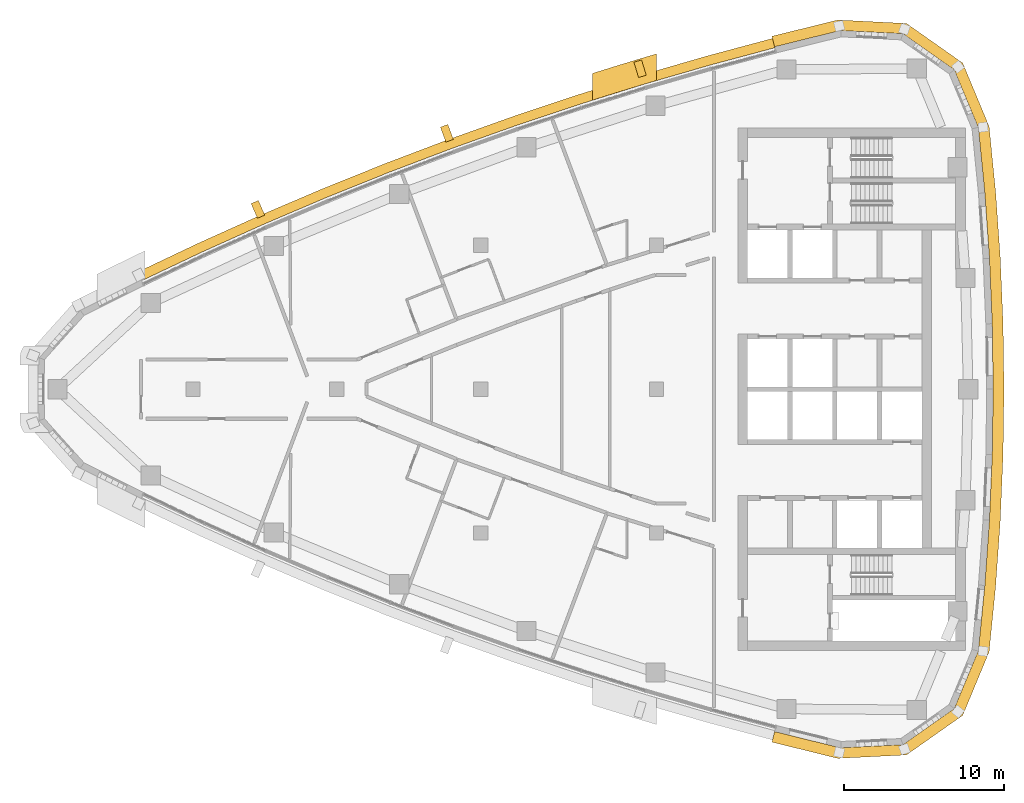
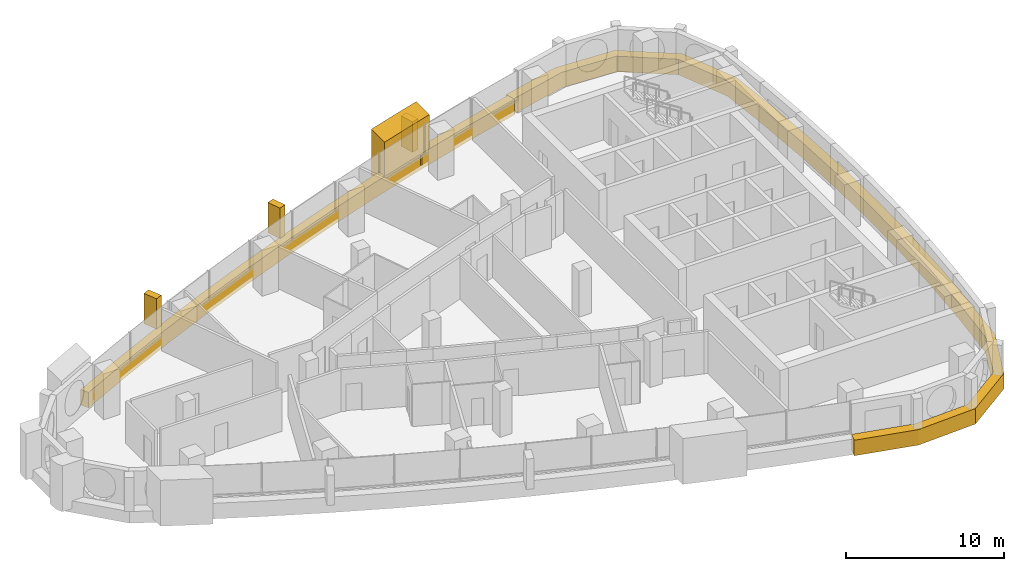
# One storey, part 15 of 16: 6 coverings.
"""IFC4 building model written with IfcOpenShell, lengths in metres."""

from ifc_helpers import new_model, si_unit, direction, frame, frame_2d, origin, place, context, subcontext, project, spatial, polyline, rectangle, outline, extrude, material, layer, layer_set, type_object, element, save


model = new_model("IFC4")

# Units and contexts
model_context = context("Model", 3, precision=1e-05, world=origin(), true_north=direction((0.0, 1.0)))
body_context = subcontext(model_context, "Body", "Model", "MODEL_VIEW")
ifc_project = project(units=[si_unit("LENGTHUNIT", "METRE"), si_unit("AREAUNIT", "SQUARE_METRE"), si_unit("VOLUMEUNIT", "CUBIC_METRE"), si_unit("PLANEANGLEUNIT", "RADIAN"), si_unit("MASSUNIT", "GRAM", prefix="KILO")], contexts=[model_context])

# Site, building, storey
site_placement = place(None, origin())
site = spatial("IfcSite", under=ifc_project, at=site_placement, CompositionType="ELEMENT")
building_placement = place(site_placement, origin())
building = spatial("IfcBuilding", under=site, at=building_placement, Name="Ostrand Prow Hotel Tower", CompositionType="ELEMENT")
storey_placement = place(building_placement, frame((0.0, 0.0, 227.89990234375)))
storey = spatial("IfcBuildingStorey", under=building, at=storey_placement, Name="L57", CompositionType="ELEMENT", Elevation=227.89990234375)

# Coverings
ifc_material_1 = material(Name="Bronze anodised aluminium cladding", Category="aluminium")
ifc_layer_1 = layer(ifc_material_1, 0.60009765625)
ifc_layer_set_1 = layer_set([ifc_layer_1], Name="Bronze anodised aluminium cladding")
covering_type_1 = type_object("IfcCoveringType", Name="Bronze spandrel band 1200x600", PredefinedType="CLADDING", material=ifc_layer_set_1)
covering_1_placement = place(storey_placement, frame((0.0, 0.0, -0.2998046875)))
element("IfcCovering", 1, at=covering_1_placement, inside=storey, type_object=covering_type_1, Name="Spandrel band N1", PredefinedType="CLADDING", context=body_context, shape_type="SweptSolid", body=[
    extrude(outline(polyline([(52.256591796875, 21.944580078125), (48.16064453125, 20.846435546875), (44.087890625, 19.665771484375), (40.039306640625, 18.403564453125), (36.017333984375, 17.059814453125), (32.02294921875, 15.635498046875), (28.058349609375, 14.131103515625), (24.12451171875, 12.547119140625), (20.2236328125, 10.88427734375), (16.35693359375, 9.14306640625), (12.526123046875, 7.324462890625), (12.788818359375, 6.784912109375), (16.60888671875, 8.598388671875), (20.464599609375, 10.334716796875), (24.354248046875, 11.992919921875), (28.27685546875, 13.572265625), (32.230224609375, 15.072509765625), (36.213134765625, 16.49267578125), (40.223876953125, 17.83251953125), (44.260498046875, 19.09130859375), (48.322021484375, 20.268310546875), (52.40625, 21.363525390625), (52.256591796875, 21.944580078125)])), origin(), (0.0, 0.0, 1.0), 1.199951171875),
])
covering_2_placement = place(storey_placement, frame((0.0, 0.0, -0.2998046875)))
element("IfcCovering", 2, at=covering_2_placement, inside=storey, type_object=covering_type_1, Name="Spandrel band back 1", PredefinedType="CLADDING", context=body_context, shape_type="SweptSolid", body=[
    extrude(outline(polyline([(52.22119140625, -22.081787109375), (56.34130859375, -23.09814453125), (60.638671875, -22.8837890625), (64.15771484375, -20.408447265625), (65.81201171875, -16.4365234375), (66.218505859375, -12.3388671875), (66.509033203125, -8.2314453125), (66.68359375, -4.117431640625), (66.74169921875, 0.0), (66.68359375, 4.117431640625), (66.509033203125, 8.2314453125), (66.218505859375, 12.3388671875), (65.81201171875, 16.4365234375), (64.15771484375, 20.408447265625), (60.638671875, 22.8837890625), (56.34130859375, 23.09814453125), (52.22119140625, 22.081787109375), (52.390869140625, 21.42333984375), (56.49755859375, 22.436279296875), (60.417236328125, 22.240966796875), (63.62744140625, 19.98291015625), (65.13623046875, 16.35986328125), (65.541015625, 12.281494140625), (65.830078125, 8.193115234375), (66.00390625, 4.09814453125), (66.061767578125, 0.0), (66.00390625, -4.09814453125), (65.830078125, -8.193115234375), (65.541015625, -12.281494140625), (65.13623046875, -16.35986328125), (63.62744140625, -19.98291015625), (60.417236328125, -22.240966796875), (56.49755859375, -22.436279296875), (52.390869140625, -21.42333984375), (52.22119140625, -22.081787109375)])), origin(), (0.0, 0.0, 1.0), 1.199951171875),
])
ifc_material_2 = material(Name="Limestone cladding", Category="masonry")
ifc_layer_2 = layer(ifc_material_2, 5.0)
ifc_layer_set_2 = layer_set([ifc_layer_2], Name="Limestone cladding")
covering_type_2 = type_object("IfcCoveringType", Name="Portal jamb pilaster limestone", PredefinedType="CLADDING", material=ifc_layer_set_2)
covering_3_placement = place(storey_placement, origin())
element("IfcCovering", 3, at=covering_3_placement, inside=storey, type_object=covering_type_2, Name="Portal jamb NB L57", PredefinedType="CLADDING", context=body_context, shape_type="SweptSolid", body=[
    extrude(outline(polyline([(41.0, 18.08154296875), (42.0, 18.3974609375), (43.0, 18.707763671875), (44.0, 19.0126953125), (45.0, 19.312255859375), (45.0, 20.980712890625), (44.0, 20.68359375), (43.0, 20.381103515625), (42.0, 20.0732421875), (41.0, 19.760009765625), (41.0, 18.08154296875)])), origin(), (0.0, 0.0, 1.0), 3.550048828125),
])
ifc_material_3 = material(Name="Limestone cladding", Category="masonry")
ifc_layer_3 = layer(ifc_material_3, 0.5)
ifc_layer_set_3 = layer_set([ifc_layer_3], Name="Limestone cladding")
covering_type_3 = type_object("IfcCoveringType", Name="Precast stone fin 500x900", PredefinedType="CLADDING", material=ifc_layer_set_3)
for number, where, z_axis, x_axis, name in (
    (4, (44.11669921875, 19.570068359375, 0.900146484375), (0.0, 0.0, 1.0), (-0.288109396306, 0.95759750196, 0.0), "Stone fin N 3"),
    (5, (32.0576171875, 15.541748046875, 0.900146484375), (0.0, 0.0, 1.0), (-0.345445137787, 0.938438946751, 0.0), "Stone fin N 6"),
):
    element("IfcCovering", number, at=place(storey_placement, frame(where, z_axis=z_axis, x_axis=x_axis)), inside=storey, type_object=covering_type_3, Name=name, PredefinedType="CLADDING", context=body_context, shape_type="SweptSolid", body=[
        extrude(rectangle(XDim=1.0, YDim=0.5, at=frame_2d((0.5, 0.0))), origin(), (0.0, 0.0, 1.0), 2.349853515625),
    ])
covering_4_placement = place(storey_placement, frame((20.263916015625, 10.79248046875, 0.900146484375), z_axis=(0.0, 0.0, 1.0), x_axis=(-0.401535789459, 0.915843332554, 0.0)))
element("IfcCovering", 6, at=covering_4_placement, inside=storey, type_object=covering_type_3, Name="Stone fin N 9", PredefinedType="CLADDING", context=body_context, shape_type="SweptSolid", body=[
    extrude(rectangle(XDim=1.000244140625, YDim=0.5, at=frame_2d((0.5, 0.0))), origin(), (0.0, 0.0, 1.0), 2.349853515625),
])

save(model, "model.ifc")
